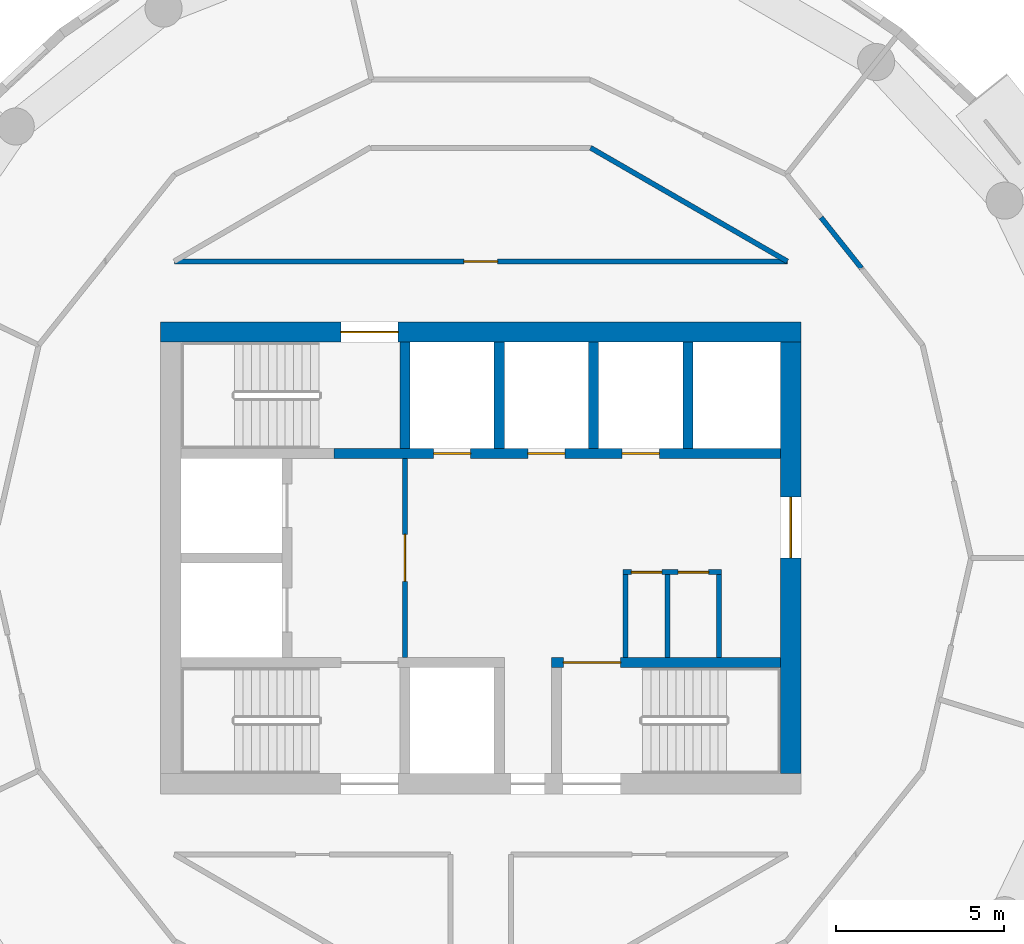
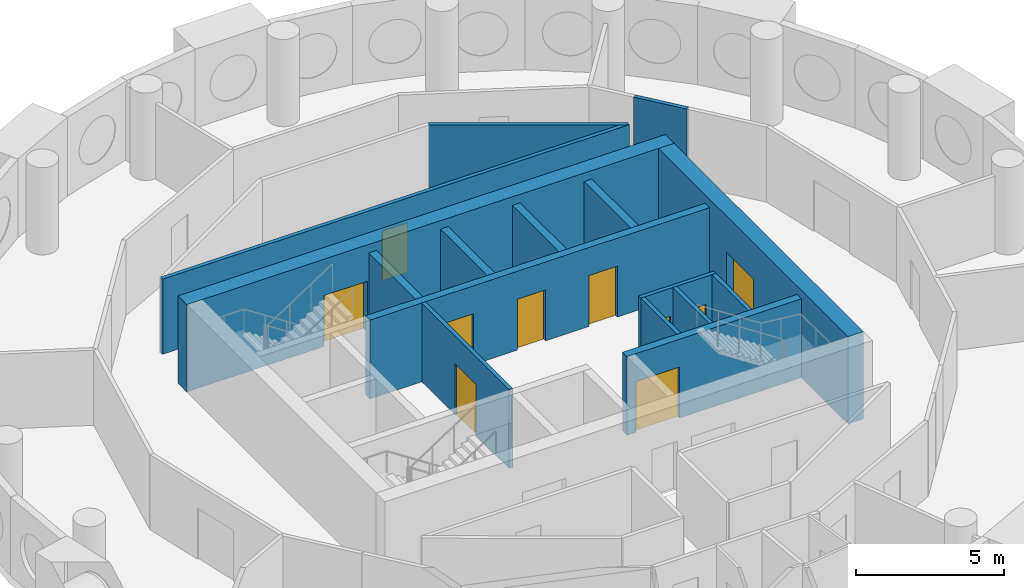
# One storey, part 8 of 13: 16 walls, 10 doors, 10 openings.
"""IFC4 building model written with IfcOpenShell, lengths in metres."""

from ifc_helpers import new_model, si_unit, direction, frame, frame_2d, origin, place, context, subcontext, project, spatial, rectangle, extrude, material, layer, layer_set, type_object, element, fill, save


model = new_model("IFC4")

# Units and contexts
model_context = context("Model", 3, precision=1e-05, world=origin(), true_north=direction((0.0, 1.0)))
body_context = subcontext(model_context, "Body", "Model", "MODEL_VIEW")
ifc_project = project(units=[si_unit("LENGTHUNIT", "METRE"), si_unit("AREAUNIT", "SQUARE_METRE"), si_unit("VOLUMEUNIT", "CUBIC_METRE"), si_unit("PLANEANGLEUNIT", "RADIAN"), si_unit("MASSUNIT", "GRAM", prefix="KILO")], contexts=[model_context])

# Site, building, storey
site_placement = place(None, origin())
site = spatial("IfcSite", under=ifc_project, at=site_placement, CompositionType="ELEMENT")
building_placement = place(site_placement, origin())
building = spatial("IfcBuilding", under=site, at=building_placement, Name="Tracery Tower", CompositionType="ELEMENT")
storey_placement = place(building_placement, frame((0.0, 0.0, 270.60009765625)))
storey = spatial("IfcBuildingStorey", under=building, at=storey_placement, Name="L70", CompositionType="ELEMENT", Elevation=270.60009765625)

# Wall, opening, door
ifc_material_1 = material(Name="Plasterboard on steel studs", Category="steel")
ifc_layer_1 = layer(ifc_material_1, 0.14990234375)
ifc_layer_set_1 = layer_set([ifc_layer_1], Name="Core lobby partition 150")
wall_type_1 = type_object("IfcWallType", Name="Core lobby partition 150", PredefinedType="SOLIDWALL", material=ifc_layer_set_1)
wall_1_placement = place(storey_placement, frame((-2.25, -2.949951171875, 0.0), z_axis=(0.0, 0.0, 1.0), x_axis=(0.0, 1.0, 0.0)))
wall_1 = element("IfcWall", 1, at=wall_1_placement, inside=storey, type_object=wall_type_1, Name="L70 FF lobby E", PredefinedType="SOLIDWALL", context=body_context, shape_type="SweptSolid", body=[
    extrude(rectangle(XDim=5.89990234375, YDim=0.14990234375, at=frame_2d((2.949951171875, 0.0))), origin(), (0.0, 0.0, 1.0), 3.25),
])
opening_1_placement = place(wall_1_placement, frame((2.25, 0.0, 0.0)))
opening_1 = element("IfcOpeningElement", 2, at=opening_1_placement, cuts=wall_1, Name="Opening KD8", PredefinedType="OPENING", context=body_context, shape_type="SweptSolid", body=[
    extrude(rectangle(XDim=1.39990234375, YDim=2.10009765625, at=frame_2d((0.699951171875, 1.050048828125))), frame((0.0, 0.074951171875, 0.0), z_axis=(0.0, -1.0, 0.0), x_axis=(1.0, 0.0, 0.0)), (0.0, 0.0, 1.0), 0.14990234375),
])
ifc_material_2 = material(Name="Steel fire door", Category="steel")
door_type_1 = type_object("IfcDoorType", Name="Core lobby door 1400 double", OperationType="NOTDEFINED", PredefinedType="DOOR", material=ifc_material_2)
door_1_placement = place(opening_1_placement, origin())
door_1 = element("IfcDoor", 3, at=door_1_placement, inside=storey, type_object=door_type_1, Name="Fire-fighting lobby door", OperationType="DOUBLE_DOOR_SINGLE_SWING", OverallHeight=2.10009765625, OverallWidth=1.39990234375, PredefinedType="DOOR", context=body_context, shape_type="SweptSolid", body=[
    extrude(rectangle(XDim=1.39990234375, YDim=2.10009765625, at=frame_2d((0.699951171875, 1.050048828125))), frame((0.0, 0.02490234375, 0.0), z_axis=(0.0, -1.0, 0.0), x_axis=(1.0, 0.0, 0.0)), (0.0, 0.0, 1.0), 0.050048828125),
])
fill(opening_1, door_1)

# Wall
ifc_material_3 = material(Name="Plasterboard on steel studs", Category="steel")
ifc_layer_2 = layer(ifc_material_3, 0.14990234375)
ifc_layer_set_2 = layer_set([ifc_layer_2], Name="Core room partition 150")
wall_type_2 = type_object("IfcWallType", Name="Core room partition 150", PredefinedType="SOLIDWALL", material=ifc_layer_set_2)
wall_2_placement = place(storey_placement, frame((4.300048828125, -2.949951171875, 0.0), z_axis=(0.0, 0.0, 1.0), x_axis=(0.0, 1.0, 0.0)))
element("IfcWall", 4, at=wall_2_placement, inside=storey, type_object=wall_type_2, Name="L70 slot W", PredefinedType="SOLIDWALL", context=body_context, shape_type="SweptSolid", body=[
    extrude(rectangle(XDim=2.449951171875, YDim=0.14990234375, at=frame_2d((1.22509765625, 0.0))), origin(), (0.0, 0.0, 1.0), 3.25),
])

# Wall, openings, doors
wall_3_placement = place(storey_placement, frame((4.22509765625, -0.425048828125, 0.0), z_axis=(0.0, 0.0, 1.0), x_axis=(1.0, 0.0, 0.0)))
wall_3 = element("IfcWall", 5, at=wall_3_placement, inside=storey, type_object=wall_type_2, Name="L70 slot N", PredefinedType="SOLIDWALL", context=body_context, shape_type="SweptSolid", body=[
    extrude(rectangle(XDim=2.9248046875, YDim=0.14990234375, at=frame_2d((1.46240234375, 0.0))), origin(), (0.0, 0.0, 1.0), 3.25),
])
opening_2_placement = place(wall_3_placement, frame((0.25, 0.0, 0.0)))
opening_2 = element("IfcOpeningElement", 6, at=opening_2_placement, cuts=wall_3, Name="Opening KD27", PredefinedType="OPENING", context=body_context, shape_type="SweptSolid", body=[
    extrude(rectangle(XDim=0.89990234375, YDim=2.10009765625, at=frame_2d((0.449951171875, 1.050048828125))), frame((0.0, 0.074951171875, 0.0), z_axis=(0.0, -1.0, 0.0), x_axis=(1.0, 0.0, 0.0)), (0.0, 0.0, 1.0), 0.14990234375),
])
opening_3_placement = place(wall_3_placement, frame((1.637451171875, 0.0, 0.0)))
opening_3 = element("IfcOpeningElement", 7, at=opening_3_placement, cuts=wall_3, Name="Opening KD21", PredefinedType="OPENING", context=body_context, shape_type="SweptSolid", body=[
    extrude(rectangle(XDim=0.89990234375, YDim=2.10009765625, at=frame_2d((0.449951171875, 1.050048828125))), frame((0.0, 0.074951171875, 0.0), z_axis=(0.0, -1.0, 0.0), x_axis=(1.0, 0.0, 0.0)), (0.0, 0.0, 1.0), 0.14990234375),
])
ifc_material_4 = material(Name="Timber door leaf", Category="wood")
door_type_2 = type_object("IfcDoorType", Name="Core WC door 900", OperationType="NOTDEFINED", PredefinedType="DOOR", material=ifc_material_4)
door_2_placement = place(opening_3_placement, origin())
door_2 = element("IfcDoor", 8, at=door_2_placement, inside=storey, type_object=door_type_2, Name="Core door", OperationType="SINGLE_SWING_LEFT", OverallHeight=2.10009765625, OverallWidth=0.89990234375, PredefinedType="DOOR", context=body_context, shape_type="SweptSolid", body=[
    extrude(rectangle(XDim=0.89990234375, YDim=2.10009765625, at=frame_2d((0.449951171875, 1.050048828125))), frame((0.0, 0.02490234375, 0.0), z_axis=(0.0, -1.0, 0.0), x_axis=(1.0, 0.0, 0.0)), (0.0, 0.0, 1.0), 0.050048828125),
])
fill(opening_3, door_2)
ifc_material_5 = material(Name="Timber door leaf", Category="wood")
door_type_3 = type_object("IfcDoorType", Name="Core store door 900", OperationType="NOTDEFINED", PredefinedType="DOOR", material=ifc_material_5)
door_3_placement = place(opening_2_placement, origin())
door_3 = element("IfcDoor", 9, at=door_3_placement, inside=storey, type_object=door_type_3, Name="Core door", OperationType="SINGLE_SWING_RIGHT", OverallHeight=2.10009765625, OverallWidth=0.89990234375, PredefinedType="DOOR", context=body_context, shape_type="SweptSolid", body=[
    extrude(rectangle(XDim=0.89990234375, YDim=2.10009765625, at=frame_2d((0.449951171875, 1.050048828125))), frame((0.0, 0.02490234375, 0.0), z_axis=(0.0, -1.0, 0.0), x_axis=(1.0, 0.0, 0.0)), (0.0, 0.0, 1.0), 0.050048828125),
])
fill(opening_2, door_3)

# Walls
for number, where, z_axis, x_axis, name in (
    (10, (7.074951171875, -2.949951171875, 0.0), (0.0, 0.0, 1.0), (0.0, 1.0, 0.0), "L70 slot E"),
    (11, (5.550048828125, -2.949951171875, 0.0), (0.0, 0.0, 1.0), (0.0, 1.0, 0.0), "L70 slot sep 1"),
):
    element("IfcWall", number, at=place(storey_placement, frame(where, z_axis=z_axis, x_axis=x_axis)), inside=storey, type_object=wall_type_2, Name=name, PredefinedType="SOLIDWALL", context=body_context, shape_type="SweptSolid", body=[
        extrude(rectangle(XDim=2.449951171875, YDim=0.14990234375, at=frame_2d((1.22509765625, 0.0))), origin(), (0.0, 0.0, 1.0), 3.25),
    ])

# Wall, opening, door
ifc_material_6 = material(Name="Concrete C40/50", Category="concrete")
ifc_layer_3 = layer(ifc_material_6, 0.60009765625)
ifc_layer_set_3 = layer_set([ifc_layer_3], Name="Core wall 600 C40")
wall_type_3 = type_object("IfcWallType", Name="Core wall 600 C40", PredefinedType="SOLIDWALL", material=ifc_layer_set_3)
wall_4_placement = place(storey_placement, frame((-9.5, 6.699951171875, 0.0), z_axis=(0.0, 0.0, 1.0), x_axis=(1.0, 0.0, 0.0)))
wall_4 = element("IfcWall", 12, at=wall_4_placement, inside=storey, type_object=wall_type_3, Name="L70 outer N", PredefinedType="SOLIDWALL", context=body_context, shape_type="SweptSolid", body=[
    extrude(rectangle(XDim=19.0, YDim=0.60009765625, at=frame_2d((9.5, 0.0))), origin(), (0.0, 0.0, 1.0), 3.599853515625),
])
opening_4_placement = place(wall_4_placement, frame((5.35009765625, 0.0, 0.0)))
opening_4 = element("IfcOpeningElement", 13, at=opening_4_placement, cuts=wall_4, Name="Opening KD3", PredefinedType="OPENING", context=body_context, shape_type="SweptSolid", body=[
    extrude(rectangle(XDim=1.699951171875, YDim=2.10009765625, at=frame_2d((0.85009765625, 1.050048828125))), frame((0.0, 0.300048828125, 0.0), z_axis=(0.0, -1.0, 0.0), x_axis=(1.0, 0.0, 0.0)), (0.0, 0.0, 1.0), 0.60009765625),
])
ifc_material_7 = material(Name="Steel fire door", Category="steel")
door_type_4 = type_object("IfcDoorType", Name="Core stair door 1700 double", OperationType="NOTDEFINED", PredefinedType="DOOR", material=ifc_material_7)
door_4_placement = place(opening_4_placement, origin())
door_4 = element("IfcDoor", 14, at=door_4_placement, inside=storey, type_object=door_type_4, Name="Stair door ST3 exit", OperationType="DOUBLE_DOOR_SINGLE_SWING", OverallHeight=2.10009765625, OverallWidth=1.699951171875, PredefinedType="DOOR", context=body_context, shape_type="SweptSolid", body=[
    extrude(rectangle(XDim=1.699951171875, YDim=2.10009765625, at=frame_2d((0.85009765625, 1.050048828125))), frame((0.0, 0.02490234375, 0.0), z_axis=(0.0, -1.0, 0.0), x_axis=(1.0, 0.0, 0.0)), (0.0, 0.0, 1.0), 0.050048828125),
])
fill(opening_4, door_4)

wall_5_placement = place(storey_placement, frame((9.199951171875, -6.39990234375, 0.0), z_axis=(0.0, 0.0, 1.0), x_axis=(0.0, 1.0, 0.0)))
wall_5 = element("IfcWall", 15, at=wall_5_placement, inside=storey, type_object=wall_type_3, Name="L70 outer E", PredefinedType="SOLIDWALL", context=body_context, shape_type="SweptSolid", body=[
    extrude(rectangle(XDim=12.7998046875, YDim=0.60009765625, at=frame_2d((6.39990234375, 0.0))), origin(), (0.0, 0.0, 1.0), 3.599853515625),
])
opening_5_placement = place(wall_5_placement, frame((6.39990234375, 0.0, 0.0)))
opening_5 = element("IfcOpeningElement", 16, at=opening_5_placement, cuts=wall_5, Name="Opening KD13", PredefinedType="OPENING", context=body_context, shape_type="SweptSolid", body=[
    extrude(rectangle(XDim=1.800048828125, YDim=2.10009765625, at=frame_2d((0.89990234375, 1.050048828125))), frame((0.0, 0.300048828125, 0.0), z_axis=(0.0, -1.0, 0.0), x_axis=(1.0, 0.0, 0.0)), (0.0, 0.0, 1.0), 0.60009765625),
])
ifc_material_8 = material(Name="Steel fire door", Category="steel")
door_type_5 = type_object("IfcDoorType", Name="Core exit door 1800 double", OperationType="NOTDEFINED", PredefinedType="DOOR", material=ifc_material_8)
door_5_placement = place(opening_5_placement, origin())
door_5 = element("IfcDoor", 17, at=door_5_placement, inside=storey, type_object=door_type_5, Name="Core exit door", OperationType="DOUBLE_DOOR_SINGLE_SWING", OverallHeight=2.10009765625, OverallWidth=1.800048828125, PredefinedType="DOOR", context=body_context, shape_type="SweptSolid", body=[
    extrude(rectangle(XDim=1.800048828125, YDim=2.10009765625, at=frame_2d((0.89990234375, 1.050048828125))), frame((0.0, 0.02490234375, 0.0), z_axis=(0.0, -1.0, 0.0), x_axis=(1.0, 0.0, 0.0)), (0.0, 0.0, 1.0), 0.050048828125),
])
fill(opening_5, door_5)

ifc_material_9 = material(Name="Plasterboard on steel studs", Category="steel")
ifc_layer_4 = layer(ifc_material_9, 0.14990234375)
ifc_layer_set_4 = layer_set([ifc_layer_4], Name="Partition 150 corridor wall")
wall_type_4 = type_object("IfcWallType", Name="Partition 150 corridor wall", PredefinedType="PARTITIONING", material=ifc_layer_set_4)
wall_6_placement = place(storey_placement, frame((-9.092041015625, 8.800048828125, 0.0), z_axis=(0.0, 0.0, 1.0), x_axis=(1.0, 0.0, 0.0)))
wall_6 = element("IfcWall", 18, at=wall_6_placement, inside=storey, type_object=wall_type_4, Name="Corridor wall RC5-002", PredefinedType="PARTITIONING", context=body_context, shape_type="SweptSolid", body=[
    extrude(rectangle(XDim=18.192626953125, YDim=0.14990234375, at=frame_2d((9.09619140625, 0.0))), origin(), (0.0, 0.0, 1.0), 3.099853515625),
])
opening_6_placement = place(wall_6_placement, frame((8.592041015625, 0.0, 0.0)))
opening_6 = element("IfcOpeningElement", 19, at=opening_6_placement, cuts=wall_6, Name="Opening RC5-01", PredefinedType="OPENING", context=body_context, shape_type="SweptSolid", body=[
    extrude(rectangle(XDim=1.0, YDim=2.0400390625, at=frame_2d((0.5, 1.02001953125))), frame((0.0, 0.074951171875, 0.0), z_axis=(0.0, -1.0, 0.0), x_axis=(1.0, 0.0, 0.0)), (0.0, 0.0, 1.0), 0.14990234375),
])
ifc_material_10 = material(Name="Timber door leaf", Category="wood")
door_type_6 = type_object("IfcDoorType", Name="Door communal room 1000", OperationType="NOTDEFINED", PredefinedType="DOOR", material=ifc_material_10)
door_6_placement = place(opening_6_placement, origin())
door_6 = element("IfcDoor", 20, at=door_6_placement, inside=storey, type_object=door_type_6, Name="Communal room door RC5-01", OperationType="SINGLE_SWING_RIGHT", OverallHeight=2.0400390625, OverallWidth=1.0, PredefinedType="DOOR", context=body_context, shape_type="SweptSolid", body=[
    extrude(rectangle(XDim=1.0, YDim=2.0400390625, at=frame_2d((0.5, 1.02001953125))), frame((0.0, 0.02490234375, 0.0), z_axis=(0.0, -1.0, 0.0), x_axis=(1.0, 0.0, 0.0)), (0.0, 0.0, 1.0), 0.050048828125),
])
fill(opening_6, door_6)

# Walls
wall_7_placement = place(storey_placement, frame((10.10107421875, 10.10107421875, 0.0), z_axis=(0.0, 0.0, 1.0), x_axis=(0.623130947784, -0.782117524362, 0.0)))
element("IfcWall", 21, at=wall_7_placement, inside=storey, type_object=wall_type_4, Name="Corridor wall RC5-004", PredefinedType="PARTITIONING", context=body_context, shape_type="SweptSolid", body=[
    extrude(rectangle(XDim=1.924072265625, YDim=0.14990234375, at=frame_2d((0.9619140625, 0.0))), origin(), (0.0, 0.0, 1.0), 3.099853515625),
])
wall_8_placement = place(storey_placement, frame((3.260986328125, 12.1708984375, 0.0), z_axis=(0.0, 0.0, 1.0), x_axis=(0.866066809554, -0.499928276245, 0.0)))
element("IfcWall", 22, at=wall_8_placement, inside=storey, type_object=wall_type_4, Name="Corridor wall RC5-024", PredefinedType="PARTITIONING", context=body_context, shape_type="SweptSolid", body=[
    extrude(rectangle(XDim=6.74267578125, YDim=0.14990234375, at=frame_2d((3.371337890625, 0.0))), origin(), (0.0, 0.0, 1.0), 3.099853515625),
])
ifc_material_11 = material(Name="Concrete C40/50", Category="concrete")
ifc_layer_5 = layer(ifc_material_11, 0.300048828125)
ifc_layer_set_5 = layer_set([ifc_layer_5], Name="Shaft wall 300 C40")
wall_type_5 = type_object("IfcWallType", Name="Shaft wall 300 C40", PredefinedType="SOLIDWALL", material=ifc_layer_set_5)
for number, where, z_axis, x_axis, name in (
    (23, (0.550048828125, 3.25, 0.0), (0.0, 0.0, 1.0), (0.0, 1.0, 0.0), "L70 HR sep 1"),
    (24, (3.35009765625, 3.25, 0.0), (0.0, 0.0, 1.0), (0.0, 1.0, 0.0), "L70 HR sep 2"),
    (25, (6.14990234375, 3.25, 0.0), (0.0, 0.0, 1.0), (0.0, 1.0, 0.0), "L70 HR sep 3"),
):
    element("IfcWall", number, at=place(storey_placement, frame(where, z_axis=z_axis, x_axis=x_axis)), inside=storey, type_object=wall_type_5, Name=name, PredefinedType="SOLIDWALL", context=body_context, shape_type="SweptSolid", body=[
        extrude(rectangle(XDim=3.14990234375, YDim=0.300048828125, at=frame_2d((1.574951171875, 0.0))), origin(), (0.0, 0.0, 1.0), 3.25),
    ])

# Wall, opening, door
ifc_material_12 = material(Name="Concrete C40/50", Category="concrete")
ifc_layer_6 = layer(ifc_material_12, 0.300048828125)
ifc_layer_set_6 = layer_set([ifc_layer_6], Name="Stair wall 300 C40")
wall_type_6 = type_object("IfcWallType", Name="Stair wall 300 C40", PredefinedType="SOLIDWALL", material=ifc_layer_set_6)
wall_9_placement = place(storey_placement, frame((2.10009765625, -3.10009765625, 0.0), z_axis=(0.0, 0.0, 1.0), x_axis=(1.0, 0.0, 0.0)))
wall_9 = element("IfcWall", 26, at=wall_9_placement, inside=storey, type_object=wall_type_6, Name="L70 row S E", PredefinedType="SOLIDWALL", context=body_context, shape_type="SweptSolid", body=[
    extrude(rectangle(XDim=6.7998046875, YDim=0.300048828125, at=frame_2d((3.39990234375, 0.0))), origin(), (0.0, 0.0, 1.0), 3.25),
])
opening_7_placement = place(wall_9_placement, frame((0.35009765625, 0.0, 0.0)))
opening_7 = element("IfcOpeningElement", 27, at=opening_7_placement, cuts=wall_9, Name="Opening KD3", PredefinedType="OPENING", context=body_context, shape_type="SweptSolid", body=[
    extrude(rectangle(XDim=1.699951171875, YDim=2.10009765625, at=frame_2d((0.85009765625, 1.050048828125))), frame((0.0, 0.14990234375, 0.0), z_axis=(0.0, -1.0, 0.0), x_axis=(1.0, 0.0, 0.0)), (0.0, 0.0, 1.0), 0.300048828125),
])
door_7_placement = place(opening_7_placement, origin())
door_7 = element("IfcDoor", 28, at=door_7_placement, inside=storey, type_object=door_type_4, Name="Stair door ST2", OperationType="DOUBLE_DOOR_SINGLE_SWING", OverallHeight=2.10009765625, OverallWidth=1.699951171875, PredefinedType="DOOR", context=body_context, shape_type="SweptSolid", body=[
    extrude(rectangle(XDim=1.699951171875, YDim=2.10009765625, at=frame_2d((0.85009765625, 1.050048828125))), frame((0.0, 0.02490234375, 0.0), z_axis=(0.0, -1.0, 0.0), x_axis=(1.0, 0.0, 0.0)), (0.0, 0.0, 1.0), 0.050048828125),
])
fill(opening_7, door_7)

# Wall, openings, doors
wall_10_placement = place(storey_placement, frame((-4.35009765625, 3.10009765625, 0.0), z_axis=(0.0, 0.0, 1.0), x_axis=(1.0, 0.0, 0.0)))
wall_10 = element("IfcWall", 29, at=wall_10_placement, inside=storey, type_object=wall_type_6, Name="L70 row N", PredefinedType="SOLIDWALL", context=body_context, shape_type="SweptSolid", body=[
    extrude(rectangle(XDim=13.25, YDim=0.300048828125, at=frame_2d((6.625, 0.0))), origin(), (0.0, 0.0, 1.0), 3.25),
])
opening_8_placement = place(wall_10_placement, frame((2.949951171875, 0.0, 0.0)))
opening_8 = element("IfcOpeningElement", 30, at=opening_8_placement, cuts=wall_10, Name="Opening KD49", PredefinedType="OPENING", context=body_context, shape_type="SweptSolid", body=[
    extrude(rectangle(XDim=1.10009765625, YDim=2.10009765625, at=frame_2d((0.550048828125, 1.050048828125))), frame((0.0, 0.14990234375, 0.0), z_axis=(0.0, -1.0, 0.0), x_axis=(1.0, 0.0, 0.0)), (0.0, 0.0, 1.0), 0.300048828125),
])
opening_9_placement = place(wall_10_placement, frame((5.75, 0.0, 0.0)))
opening_9 = element("IfcOpeningElement", 31, at=opening_9_placement, cuts=wall_10, Name="Opening KD50", PredefinedType="OPENING", context=body_context, shape_type="SweptSolid", body=[
    extrude(rectangle(XDim=1.10009765625, YDim=2.10009765625, at=frame_2d((0.550048828125, 1.050048828125))), frame((0.0, 0.14990234375, 0.0), z_axis=(0.0, -1.0, 0.0), x_axis=(1.0, 0.0, 0.0)), (0.0, 0.0, 1.0), 0.300048828125),
])
opening_10_placement = place(wall_10_placement, frame((8.550048828125, 0.0, 0.0)))
opening_10 = element("IfcOpeningElement", 32, at=opening_10_placement, cuts=wall_10, Name="Opening KD49", PredefinedType="OPENING", context=body_context, shape_type="SweptSolid", body=[
    extrude(rectangle(XDim=1.10009765625, YDim=2.10009765625, at=frame_2d((0.550048828125, 1.050048828125))), frame((0.0, 0.14990234375, 0.0), z_axis=(0.0, -1.0, 0.0), x_axis=(1.0, 0.0, 0.0)), (0.0, 0.0, 1.0), 0.300048828125),
])
ifc_material_13 = material(Name="Steel fire door", Category="steel")
door_type_7 = type_object("IfcDoorType", Name="Landing door 1100", OperationType="NOTDEFINED", PredefinedType="DOOR", material=ifc_material_13)
door_8_placement = place(opening_8_placement, origin())
door_8 = element("IfcDoor", 33, at=door_8_placement, inside=storey, type_object=door_type_7, Name="Landing door HR1", OperationType="SLIDING_TO_LEFT", OverallHeight=2.10009765625, OverallWidth=1.10009765625, PredefinedType="DOOR", context=body_context, shape_type="SweptSolid", body=[
    extrude(rectangle(XDim=1.10009765625, YDim=2.10009765625, at=frame_2d((0.550048828125, 1.050048828125))), frame((0.0, 0.02490234375, 0.0), z_axis=(0.0, -1.0, 0.0), x_axis=(1.0, 0.0, 0.0)), (0.0, 0.0, 1.0), 0.050048828125),
])
fill(opening_8, door_8)
door_9_placement = place(opening_9_placement, origin())
door_9 = element("IfcDoor", 34, at=door_9_placement, inside=storey, type_object=door_type_7, Name="Landing door HR2", OperationType="SLIDING_TO_RIGHT", OverallHeight=2.10009765625, OverallWidth=1.10009765625, PredefinedType="DOOR", context=body_context, shape_type="SweptSolid", body=[
    extrude(rectangle(XDim=1.10009765625, YDim=2.10009765625, at=frame_2d((0.550048828125, 1.050048828125))), frame((0.0, 0.02490234375, 0.0), z_axis=(0.0, -1.0, 0.0), x_axis=(1.0, 0.0, 0.0)), (0.0, 0.0, 1.0), 0.050048828125),
])
fill(opening_9, door_9)
door_10_placement = place(opening_10_placement, origin())
door_10 = element("IfcDoor", 35, at=door_10_placement, inside=storey, type_object=door_type_7, Name="Landing door HR3", OperationType="SLIDING_TO_LEFT", OverallHeight=2.10009765625, OverallWidth=1.10009765625, PredefinedType="DOOR", context=body_context, shape_type="SweptSolid", body=[
    extrude(rectangle(XDim=1.10009765625, YDim=2.10009765625, at=frame_2d((0.550048828125, 1.050048828125))), frame((0.0, 0.02490234375, 0.0), z_axis=(0.0, -1.0, 0.0), x_axis=(1.0, 0.0, 0.0)), (0.0, 0.0, 1.0), 0.050048828125),
])
fill(opening_10, door_10)

# Wall
wall_11_placement = place(storey_placement, frame((-2.25, 3.25, 0.0), z_axis=(0.0, 0.0, 1.0), x_axis=(0.0, 1.0, 0.0)))
element("IfcWall", 36, at=wall_11_placement, inside=storey, type_object=wall_type_6, Name="L70 ST3 E", PredefinedType="SOLIDWALL", context=body_context, shape_type="SweptSolid", body=[
    extrude(rectangle(XDim=3.14990234375, YDim=0.300048828125, at=frame_2d((1.574951171875, 0.0))), origin(), (0.0, 0.0, 1.0), 3.25),
])

save(model, "model.ifc")
